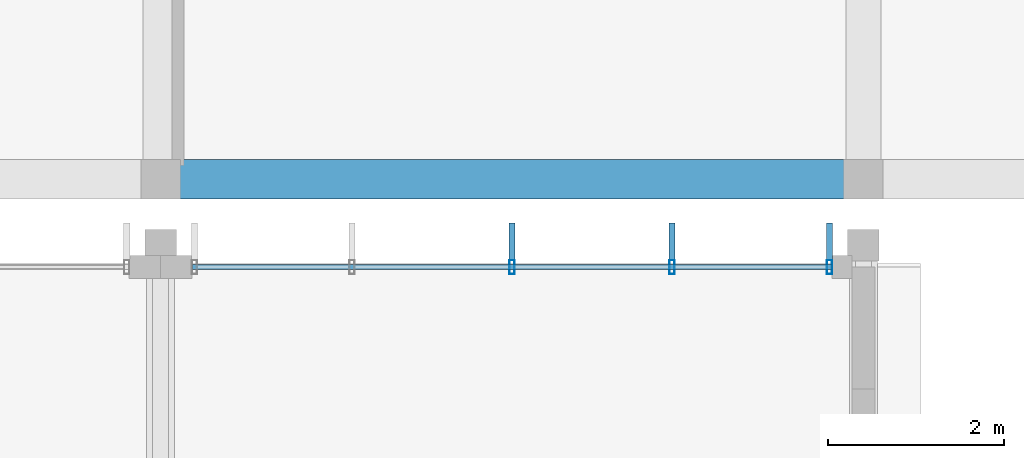
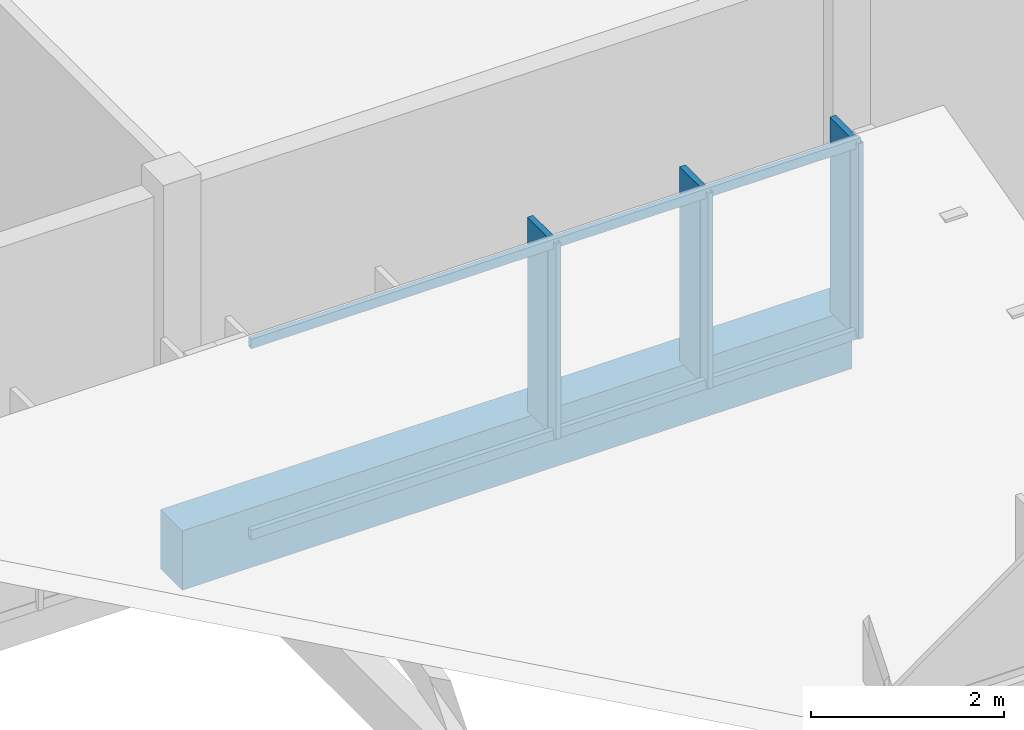
# One storey, part 41 of 94: 8 members, 1 beam, 1 element without a shape of its own.
"""IFC4 building model written with IfcOpenShell, lengths in metres."""

from ifc_helpers import new_model, si_unit, direction, frame, origin, origin_2d, place, context, subcontext, project, spatial, rectangle, hollow_rectangle, extrude, material, material_profile, profile_set, type_object, element, aggregate, save


model = new_model("IFC4")

# Units and contexts
model_context = context("Model", 3, precision=1e-05, world=origin(), true_north=direction((0.0, 1.0)))
body_context = subcontext(model_context, "Body", "Model", "MODEL_VIEW")
ifc_project = project(units=[si_unit("LENGTHUNIT", "METRE"), si_unit("AREAUNIT", "SQUARE_METRE"), si_unit("VOLUMEUNIT", "CUBIC_METRE"), si_unit("PLANEANGLEUNIT", "RADIAN"), si_unit("MASSUNIT", "GRAM", prefix="KILO")], contexts=[model_context])

# Site, building, storey
site_placement = place(None, origin())
site = spatial("IfcSite", under=ifc_project, at=site_placement, CompositionType="ELEMENT")
building_placement = place(site_placement, origin())
building = spatial("IfcBuilding", under=site, at=building_placement, Name="Chiffa Square Polytechnic", CompositionType="ELEMENT")
storey_placement = place(building_placement, frame((0.0, 0.0, 18.0)))
storey = spatial("IfcBuildingStorey", under=building, at=storey_placement, Name="L04", CompositionType="ELEMENT", Elevation=18.0)

# Beam
ifc_material_1 = material(Name="Concrete C35/45", Category="concrete")
ifc_material_profile_1 = material_profile(ifc_material_1, rectangle(XDim=0.449951171875, YDim=0.75, at=origin_2d()), Name="RC 450x750")
ifc_profile_set_1 = profile_set([ifc_material_profile_1], Name="Concrete C35/45")
beam_type = type_object("IfcBeamType", Name="BM-RC-450X750", PredefinedType="BEAM", material=ifc_profile_set_1)
beam_placement = place(storey_placement, frame((24.0, 94.949951171875, -0.614990234375), z_axis=(1.0, 0.0, 0.0), x_axis=(0.0, 1.0, 0.0)))
element("IfcBeam", 1, at=beam_placement, inside=storey, type_object=beam_type, Name="Primary floor girder BM-V5-L04-X-0240-0950", PredefinedType="BEAM", context=body_context, shape_type="SweptSolid", body=[
    extrude(rectangle(XDim=0.449951171875, YDim=0.75, at=origin_2d()), origin(), (0.0, 0.0, 1.0), 8.0),
])

# Curtain wall, members
ifc_material_2 = material(Name="Aluminium EN AW-6060 T66 and glulam shading", Category="wood")
curtain_wall_type = type_object("IfcCurtainWallType", Name="CW-VERT-600X380", PredefinedType="USERDEFINED", material=ifc_material_2)
curtain_wall_placement = place(storey_placement, origin())
curtain_wall = element("IfcCurtainWall", 2, at=curtain_wall_placement, inside=storey, type_object=curtain_wall_type, Name="Curtain wall CW-V6-SAW8-4", ObjectType="CURTAIN WALL", PredefinedType="USERDEFINED")
ifc_material_3 = material(Name="Aluminium EN AW-6060 T66", Category="aluminium")
ifc_material_profile_2 = material_profile(ifc_material_3, hollow_rectangle(XDim=0.06005859375, YDim=0.159912109375, WallThickness=0.00390625, at=origin_2d()), Name="ALU 60x160x4")
ifc_profile_set_2 = profile_set([ifc_material_profile_2], Name="Aluminium EN AW-6060 T66")
member_type_1 = type_object("IfcMemberType", Name="CWM-ALU-65X150", PredefinedType="MULLION", material=ifc_profile_set_2)
member_1_placement = place(storey_placement, frame((31.614990234375, 93.949951171875, 0.0400390625), z_axis=(0.0, 0.0, 1.0), x_axis=(1.0, 0.0, 0.0)))
member_1 = element("IfcMember", 3, at=member_1_placement, type_object=member_type_1, Name="Curtain wall mullion CW-V6-SAW8-4-M00", PredefinedType="MULLION", context=body_context, shape_type="SweptSolid", body=[
    extrude(hollow_rectangle(XDim=0.06005859375, YDim=0.159912109375, WallThickness=0.00390625, at=origin_2d()), origin(), (0.0, 0.0, 1.0), 2.471923828125),
])
member_2_placement = place(storey_placement, frame((29.820068359375, 93.949951171875, 0.0400390625), z_axis=(0.0, 0.0, 1.0), x_axis=(1.0, 0.0, 0.0)))
member_2 = element("IfcMember", 4, at=member_2_placement, type_object=member_type_1, Name="Curtain wall mullion CW-V6-SAW8-4-M01", PredefinedType="MULLION", context=body_context, shape_type="SweptSolid", body=[
    extrude(hollow_rectangle(XDim=0.06005859375, YDim=0.159912109375, WallThickness=0.00390625, at=origin_2d()), origin(), (0.0, 0.0, 1.0), 2.471923828125),
])
member_3_placement = place(storey_placement, frame((28.0, 93.949951171875, 0.0400390625), z_axis=(0.0, 0.0, 1.0), x_axis=(1.0, 0.0, 0.0)))
member_3 = element("IfcMember", 5, at=member_3_placement, type_object=member_type_1, Name="Curtain wall mullion CW-V6-SAW8-4-M02", PredefinedType="MULLION", context=body_context, shape_type="SweptSolid", body=[
    extrude(hollow_rectangle(XDim=0.06005859375, YDim=0.159912109375, WallThickness=0.00390625, at=origin_2d()), origin(), (0.0, 0.0, 1.0), 2.471923828125),
])
ifc_material_4 = material(Name="Glulam GL28h", Category="wood")
ifc_material_profile_3 = material_profile(ifc_material_4, rectangle(XDim=0.070068359375, YDim=0.419921875, at=origin_2d()), Name="GL28h 70x420")
ifc_profile_set_3 = profile_set([ifc_material_profile_3], Name="Glulam GL28h")
member_type_2 = type_object("IfcMemberType", Name="CWM-GL-70X420", PredefinedType="MULLION", material=ifc_profile_set_3)
member_4_placement = place(storey_placement, frame((31.614990234375, 94.241943359375, 0.050048828125), z_axis=(0.0, 0.0, 1.0), x_axis=(-1.0, 0.0, 0.0)))
member_4 = element("IfcMember", 6, at=member_4_placement, type_object=member_type_2, Name="Exterior glulam solar fin CW-V6-SAW8-4-FN00", PredefinedType="MULLION", context=body_context, shape_type="SweptSolid", body=[
    extrude(rectangle(XDim=0.070068359375, YDim=0.419921875, at=origin_2d()), origin(), (0.0, 0.0, 1.0), 2.451904296875),
])
member_5_placement = place(storey_placement, frame((29.820068359375, 94.241943359375, 0.050048828125), z_axis=(0.0, 0.0, 1.0), x_axis=(-1.0, 0.0, 0.0)))
member_5 = element("IfcMember", 7, at=member_5_placement, type_object=member_type_2, Name="Exterior glulam solar fin CW-V6-SAW8-4-FN01", PredefinedType="MULLION", context=body_context, shape_type="SweptSolid", body=[
    extrude(rectangle(XDim=0.070068359375, YDim=0.419921875, at=origin_2d()), origin(), (0.0, 0.0, 1.0), 2.451904296875),
])
member_6_placement = place(storey_placement, frame((28.0, 94.241943359375, 0.050048828125), z_axis=(0.0, 0.0, 1.0), x_axis=(-1.0, 0.0, 0.0)))
member_6 = element("IfcMember", 8, at=member_6_placement, type_object=member_type_2, Name="Exterior glulam solar fin CW-V6-SAW8-4-FN02", PredefinedType="MULLION", context=body_context, shape_type="SweptSolid", body=[
    extrude(rectangle(XDim=0.070068359375, YDim=0.419921875, at=origin_2d()), origin(), (0.0, 0.0, 1.0), 2.451904296875),
])
ifc_material_profile_4 = material_profile(ifc_material_3, hollow_rectangle(XDim=0.06005859375, YDim=0.1201171875, WallThickness=0.00390625, at=origin_2d()), Name="ALU 60x120x4")
ifc_profile_set_4 = profile_set([ifc_material_profile_4], Name="Aluminium EN AW-6060 T66")
member_type_3 = type_object("IfcMemberType", Name="CWT-ALU-65X120", PredefinedType="USERDEFINED", material=ifc_profile_set_4)
member_7_placement = place(storey_placement, frame((31.64208984375, 93.949951171875, 0.070068359375), z_axis=(-1.0, 0.0, 0.0), x_axis=(0.0, -1.0, 0.0)))
member_7 = element("IfcMember", 9, at=member_7_placement, type_object=member_type_3, Name="Curtain wall transom CW-V6-SAW8-4-T01", ObjectType="TRANSOM", PredefinedType="USERDEFINED", context=body_context, shape_type="SweptSolid", body=[
    extrude(hollow_rectangle(XDim=0.06005859375, YDim=0.1201171875, WallThickness=0.00390625, at=origin_2d()), origin(), (0.0, 0.0, 1.0), 7.2841796875),
])
member_8_placement = place(storey_placement, frame((31.64208984375, 93.949951171875, 2.48193359375), z_axis=(-1.0, 0.0, 0.0), x_axis=(0.0, -1.0, 0.0)))
member_8 = element("IfcMember", 10, at=member_8_placement, type_object=member_type_3, Name="Curtain wall transom CW-V6-SAW8-4-T02", ObjectType="TRANSOM", PredefinedType="USERDEFINED", context=body_context, shape_type="SweptSolid", body=[
    extrude(hollow_rectangle(XDim=0.06005859375, YDim=0.1201171875, WallThickness=0.00390625, at=origin_2d()), origin(), (0.0, 0.0, 1.0), 7.2841796875),
])
aggregate(curtain_wall, [member_1, member_4, member_2, member_5, member_3, member_6, member_7, member_8])

save(model, "model.ifc")
